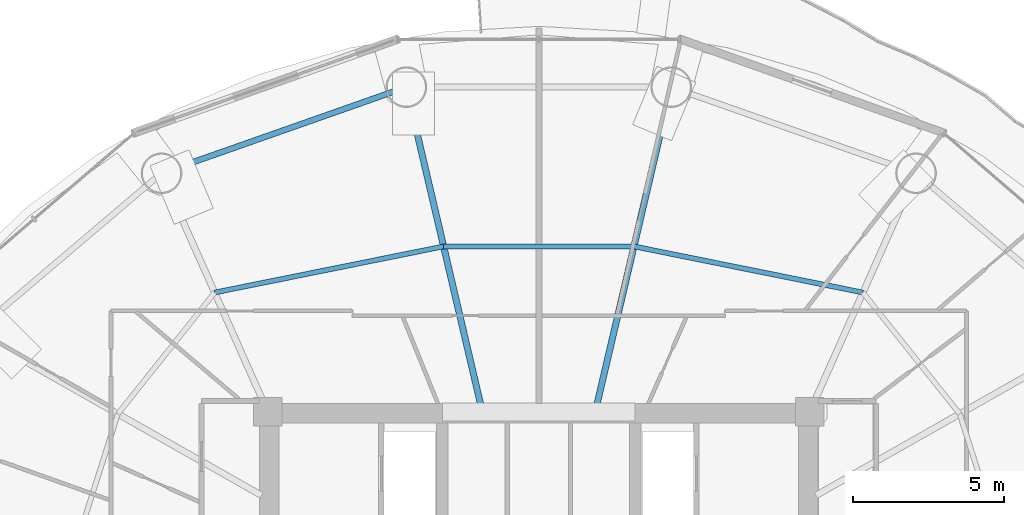
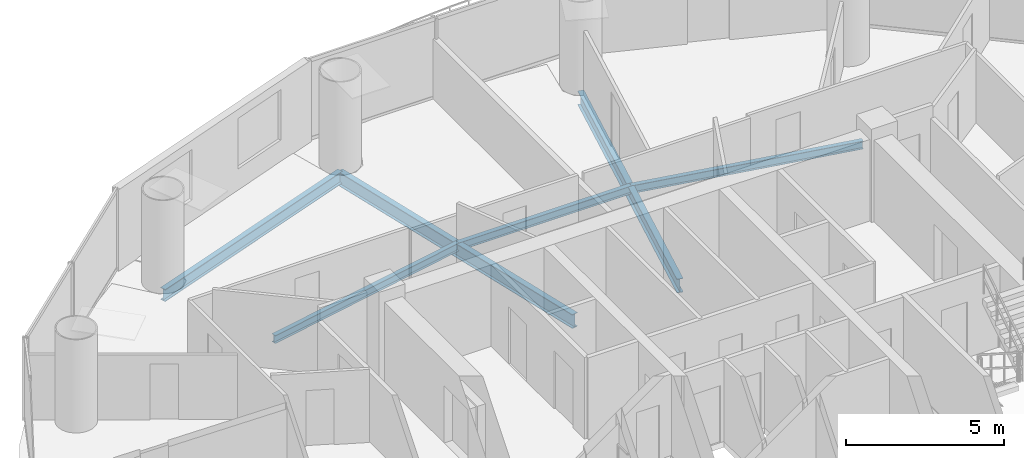
# One storey, part 15 of 26: 6 beams.
"""IFC4 building model written with IfcOpenShell, lengths in metres."""

from ifc_helpers import new_model, si_unit, direction, frame, origin, origin_2d, place, context, subcontext, project, spatial, i_section, extrude, material, material_profile, profile_set, type_object, element, save


model = new_model("IFC4")

# Units and contexts
model_context = context("Model", 3, precision=1e-05, world=origin(), true_north=direction((-0.2419218956, 0.970295726276)))
body_context = subcontext(model_context, "Body", "Model", "MODEL_VIEW")
ifc_project = project(units=[si_unit("LENGTHUNIT", "METRE"), si_unit("AREAUNIT", "SQUARE_METRE"), si_unit("VOLUMEUNIT", "CUBIC_METRE"), si_unit("PLANEANGLEUNIT", "RADIAN"), si_unit("MASSUNIT", "GRAM", prefix="KILO")], contexts=[model_context])

# Site, building, storey
site_placement = place(None, origin())
site = spatial("IfcSite", under=ifc_project, at=site_placement, CompositionType="ELEMENT")
building_placement = place(site_placement, origin())
building = spatial("IfcBuilding", under=site, at=building_placement, Name="Cobrevalo Terracotta Tower", CompositionType="ELEMENT")
storey_placement = place(building_placement, frame((0.0, 0.0, 182.199951171875)))
storey = spatial("IfcBuildingStorey", under=building, at=storey_placement, Name="L48", CompositionType="ELEMENT", Elevation=182.199951171875)

# Beams
ifc_material = material(Name="Steel S355", Category="steel")
ifc_material_profile_1 = material_profile(ifc_material, i_section(OverallWidth=0.2109375, OverallDepth=0.5390625, WebThickness=0.01171875, FlangeThickness=0.018798828125, at=origin_2d()), Name="W 530x109")
ifc_profile_set_1 = profile_set([ifc_material_profile_1], Name="Steel S355")
beam_type_1 = type_object("IfcBeamType", Name="Structural Beam W 530x109 (Steel S355)", PredefinedType="BEAM", material=ifc_profile_set_1)
for number, where, z_axis, x_axis, name in (
    (1, (42.399169921875, 45.58203125, -0.53955078125), (-0.228040864186, -0.973651562039, 0.0), (0.973651562039, -0.228040864186, 0.0), "L48 radial floor girder 04"),
    (2, (33.600830078125, 45.58203125, -0.53955078125), (0.228040864186, -0.973651562039, 0.0), (0.973651562039, 0.228040864186, 0.0), "L48 radial floor girder 05"),
):
    element("IfcBeam", number, at=place(storey_placement, frame(where, z_axis=z_axis, x_axis=x_axis)), inside=storey, type_object=beam_type_1, Name=name, PredefinedType="BEAM", context=body_context, shape_type="SweptSolid", body=[
        extrude(i_section(OverallWidth=0.2109375, OverallDepth=0.5390625, WebThickness=0.01171875, FlangeThickness=0.018798828125, at=origin_2d()), origin(), (0.0, 0.0, 1.0), 10.86328125),
    ])
ifc_material_profile_2 = material_profile(ifc_material, i_section(OverallWidth=0.1650390625, OverallDepth=0.31005859375, WebThickness=0.005859375, FlangeThickness=0.009765625, at=origin_2d()), Name="W 310x38.7")
ifc_profile_set_2 = profile_set([ifc_material_profile_2], Name="Steel S355")
beam_type_2 = type_object("IfcBeamType", Name="Structural Joist W 310x38.7 (Steel S355)", PredefinedType="JOIST", material=ifc_profile_set_2)
beam_1_placement = place(storey_placement, frame((48.76416015625, 38.76123046875, -0.425048828125), z_axis=(-0.980293928329, 0.197544461026, 0.0), x_axis=(-0.197544461026, -0.980293928329, 0.0)))
element("IfcBeam", 3, at=beam_1_placement, inside=storey, type_object=beam_type_2, Name="L48 circumferential secondary floor joist 03", PredefinedType="JOIST", context=body_context, shape_type="SweptSolid", body=[
    extrude(i_section(OverallWidth=0.1650390625, OverallDepth=0.31005859375, WebThickness=0.005859375, FlangeThickness=0.009765625, at=origin_2d()), origin(), (0.0, 0.0, 1.0), 7.75634765625),
])
beam_2_placement = place(storey_placement, frame((41.16064453125, 40.29345703125, -0.425048828125), z_axis=(-1.0, 0.0, 0.0), x_axis=(0.0, -1.0, 0.0)))
element("IfcBeam", 4, at=beam_2_placement, inside=storey, type_object=beam_type_2, Name="L48 circumferential secondary floor joist 04", PredefinedType="JOIST", context=body_context, shape_type="SweptSolid", body=[
    extrude(i_section(OverallWidth=0.1650390625, OverallDepth=0.31005859375, WebThickness=0.005859375, FlangeThickness=0.009765625, at=origin_2d()), origin(), (0.0, 0.0, 1.0), 6.3212890625),
])
beam_3_placement = place(storey_placement, frame((34.83935546875, 40.29345703125, -0.425048828125), z_axis=(-0.980293928329, -0.197544461026, 0.0), x_axis=(0.197544461026, -0.980293928329, 0.0)))
element("IfcBeam", 5, at=beam_3_placement, inside=storey, type_object=beam_type_2, Name="L48 circumferential secondary floor joist 05", PredefinedType="JOIST", context=body_context, shape_type="SweptSolid", body=[
    extrude(i_section(OverallWidth=0.1650390625, OverallDepth=0.31005859375, WebThickness=0.005859375, FlangeThickness=0.009765625, at=origin_2d()), origin(), (0.0, 0.0, 1.0), 7.75634765625),
])
ifc_material_profile_3 = material_profile(ifc_material, i_section(OverallWidth=0.194091796875, OverallDepth=0.468994140625, WebThickness=0.011474609375, FlangeThickness=0.0205078125, at=origin_2d()), Name="W 460x106")
ifc_profile_set_3 = profile_set([ifc_material_profile_3], Name="Steel S355")
beam_type_3 = type_object("IfcBeamType", Name="Structural Spandrel W 460x106 (Steel S355)", PredefinedType="SPANDREL", material=ifc_profile_set_3)
beam_4_placement = place(storey_placement, frame((33.600830078125, 45.58203125, -0.50439453125), z_axis=(-0.943341298492, -0.331824041565, 0.0), x_axis=(0.331824041565, -0.943341298492, 0.0)))
element("IfcBeam", 6, at=beam_4_placement, inside=storey, type_object=beam_type_3, Name="L48 perimeter ring spandrel 05", PredefinedType="SPANDREL", context=body_context, shape_type="SweptSolid", body=[
    extrude(i_section(OverallWidth=0.194091796875, OverallDepth=0.468994140625, WebThickness=0.011474609375, FlangeThickness=0.0205078125, at=origin_2d()), origin(), (0.0, 0.0, 1.0), 8.6171875),
])

save(model, "model.ifc")
